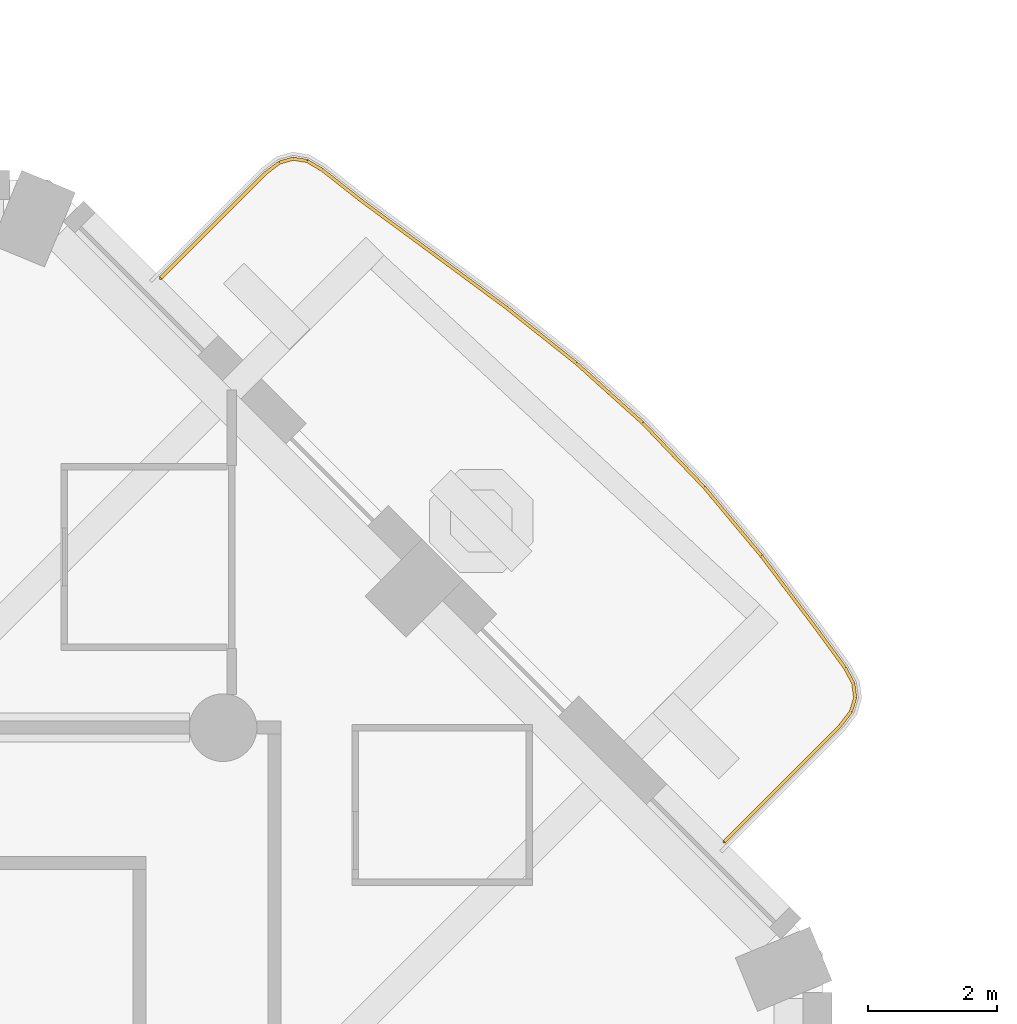
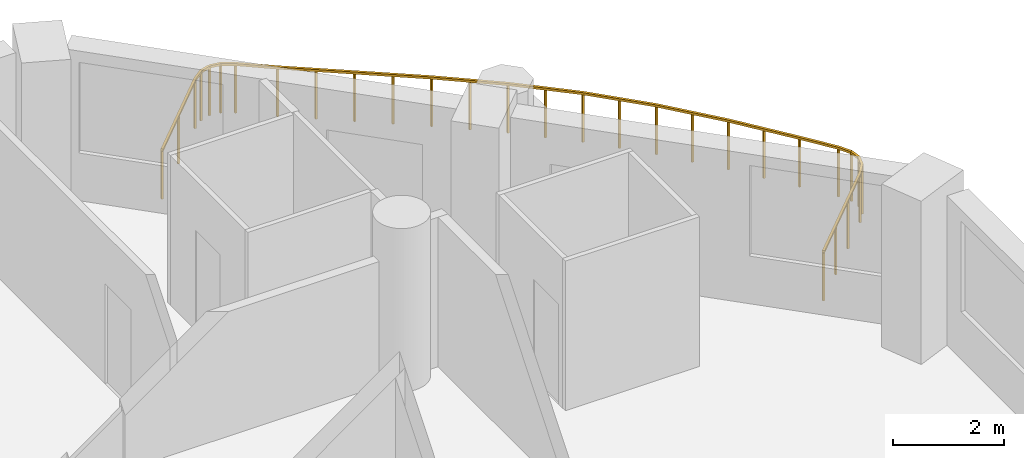
# One storey, part 19 of 20: 1 railing.
"""IFC4 building model written with IfcOpenShell, lengths in metres."""

from ifc_helpers import new_model, si_unit, direction, frame, origin, origin_2d, place, context, subcontext, project, spatial, rectangle, extrude, material, type_object, element, save


model = new_model("IFC4")

# Units and contexts
model_context = context("Model", 3, precision=1e-05, world=origin(), true_north=direction((0.0, 1.0)))
body_context = subcontext(model_context, "Body", "Model", "MODEL_VIEW")
ifc_project = project(units=[si_unit("LENGTHUNIT", "METRE"), si_unit("AREAUNIT", "SQUARE_METRE"), si_unit("VOLUMEUNIT", "CUBIC_METRE"), si_unit("PLANEANGLEUNIT", "RADIAN"), si_unit("MASSUNIT", "GRAM", prefix="KILO")], contexts=[model_context])

# Site, building, storey
site_placement = place(None, origin())
site = spatial("IfcSite", under=ifc_project, at=site_placement, CompositionType="ELEMENT")
building_placement = place(site_placement, origin())
building = spatial("IfcBuilding", under=site, at=building_placement, Name="Cypress Arch Tower", CompositionType="ELEMENT")
storey_placement = place(building_placement, frame((0.0, 0.0, 113.10009765625)))
storey = spatial("IfcBuildingStorey", under=building, at=storey_placement, Name="L23", CompositionType="ELEMENT", Elevation=113.10009765625)

# Railing
ifc_material = material(Name="Powder-coated steel posts and rods, 100 mm clear between rods", Category="steel")
railing_type = type_object("IfcRailingType", Name="Balcony guard GR1100", PredefinedType="GUARDRAIL", material=ifc_material)
railing_placement = place(storey_placement, frame((14.33251953125, 24.479736328125, 0.0)))
element("IfcRailing", 1, at=railing_placement, inside=storey, type_object=railing_type, Name="Balcony guard L23-A07", PredefinedType="GUARDRAIL", context=body_context, shape_type="SweptSolid", body=[
    extrude(rectangle(XDim=0.050048828125, YDim=0.050048828125, at=origin_2d()), frame((0.0, 0.0, 1.0751953125), z_axis=(0.707106781187, 0.707106781187, 0.0), x_axis=(-0.707106781187, 0.707106781187, 0.0)), (0.0, 0.0, 1.0), 2.302490234375),
    extrude(rectangle(XDim=0.050048828125, YDim=0.050048828125, at=origin_2d()), frame((1.628173828125, 1.628173828125, 1.0751953125), z_axis=(0.797818869883, 0.602897214173, 0.0), x_axis=(-0.602897214173, 0.797818869883, 0.0)), (0.0, 0.0, 1.0), 0.269287109375),
    extrude(rectangle(XDim=0.050048828125, YDim=0.050048828125, at=origin_2d()), frame((1.843017578125, 1.79052734375, 1.0751953125), z_axis=(0.961649558274, 0.274281109577, 0.0), x_axis=(-0.274281109577, 0.961649558274, 0.0)), (0.0, 0.0, 1.0), 0.219970703125),
    extrude(rectangle(XDim=0.050048828125, YDim=0.050048828125, at=origin_2d()), frame((2.054443359375, 1.850830078125, 1.0751953125), z_axis=(0.987162255599, -0.159720634614, 0.0), x_axis=(0.159720634614, 0.987162255599, 0.0)), (0.0, 0.0, 1.0), 0.22021484375),
    extrude(rectangle(XDim=0.050048828125, YDim=0.050048828125, at=origin_2d()), frame((2.271728515625, 1.815673828125, 1.0751953125), z_axis=(0.863284624147, -0.504717403813, 0.0), x_axis=(0.504717403813, 0.863284624147, 0.0)), (0.0, 0.0, 1.0), 0.26904296875),
    extrude(rectangle(XDim=0.050048828125, YDim=0.050048828125, at=origin_2d()), frame((2.50390625, 1.679931640625, 1.0751953125), z_axis=(0.785209472927, -0.619230234747, 0.0), x_axis=(0.619230234747, 0.785209472927, 0.0)), (0.0, 0.0, 1.0), 0.764892578125),
    extrude(rectangle(XDim=0.050048828125, YDim=0.050048828125, at=origin_2d()), frame((3.1044921875, 1.206298828125, 1.0751953125), z_axis=(0.805068965482, -0.593181220891, 0.0), x_axis=(0.593181220891, 0.805068965482, 0.0)), (0.0, 0.0, 1.0), 1.40234375),
    extrude(rectangle(XDim=0.050048828125, YDim=0.050048828125, at=origin_2d()), frame((4.2333984375, 0.37451171875, 1.0751953125), z_axis=(0.804455056944, -0.594013519507, 0.0), x_axis=(0.594013519507, 0.804455056944, 0.0)), (0.0, 0.0, 1.0), 1.400390625),
    extrude(rectangle(XDim=0.050048828125, YDim=0.050048828125, at=origin_2d()), frame((5.35986328125, -0.457275390625, 1.0751953125), z_axis=(0.783002825994, -0.622018146428, 0.0), x_axis=(0.622018146428, 0.783002825994, 0.0)), (0.0, 0.0, 1.0), 1.39208984375),
    extrude(rectangle(XDim=0.050048828125, YDim=0.050048828125, at=origin_2d()), frame((6.449951171875, -1.3232421875, 1.0751953125), z_axis=(0.743092395164, -0.669188831534, 0.0), x_axis=(0.669188831534, 0.743092395164, 0.0)), (0.0, 0.0, 1.0), 1.38427734375),
    extrude(rectangle(XDim=0.050048828125, YDim=0.050048828125, at=origin_2d()), frame((7.478515625, -2.24951171875, 1.0751953125), z_axis=(0.691663643877, -0.722219775234, 0.0), x_axis=(0.722219775234, 0.691663643877, 0.0)), (0.0, 0.0, 1.0), 1.38232421875),
    extrude(rectangle(XDim=0.050048828125, YDim=0.050048828125, at=origin_2d()), frame((8.4345703125, -3.247802734375, 1.0751953125), z_axis=(0.64030544225, -0.768120394616, 0.0), x_axis=(0.768120394616, 0.64030544225, 0.0)), (0.0, 0.0, 1.0), 1.388671875),
    extrude(rectangle(XDim=0.050048828125, YDim=0.050048828125, at=origin_2d()), frame((9.32373046875, -4.314453125, 1.0751953125), z_axis=(0.602847920708, -0.797856117667, 0.0), x_axis=(0.797856117667, 0.602847920708, 0.0)), (0.0, 0.0, 1.0), 1.397216796875),
    extrude(rectangle(XDim=0.050048828125, YDim=0.050048828125, at=origin_2d()), frame((10.166015625, -5.42919921875, 1.0751953125), z_axis=(0.590080392079, -0.807344493314, 0.0), x_axis=(0.807344493314, 0.590080392079, 0.0)), (0.0, 0.0, 1.0), 0.767578125),
    extrude(rectangle(XDim=0.050048828125, YDim=0.050048828125, at=origin_2d()), frame((10.618896484375, -6.048828125, 1.0751953125), z_axis=(0.474260202154, -0.880384723091, 0.0), x_axis=(0.880384723091, 0.474260202154, 0.0)), (0.0, 0.0, 1.0), 0.272216796875),
    extrude(rectangle(XDim=0.050048828125, YDim=0.050048828125, at=origin_2d()), frame((10.748046875, -6.28857421875, 1.0751953125), z_axis=(0.133371049798, -0.991066174923, 0.0), x_axis=(0.991066174923, 0.133371049798, 0.0)), (0.0, 0.0, 1.0), 0.22509765625),
    extrude(rectangle(XDim=0.050048828125, YDim=0.050048828125, at=origin_2d()), frame((10.778076171875, -6.51171875, 1.0751953125), z_axis=(-0.283866984408, -0.958863668705, 0.0), x_axis=(0.958863668705, -0.283866984408, 0.0)), (0.0, 0.0, 1.0), 0.225341796875),
    extrude(rectangle(XDim=0.050048828125, YDim=0.050048828125, at=origin_2d()), frame((10.714111328125, -6.727783203125, 1.0751953125), z_axis=(-0.604151031932, -0.796869832919, 0.0), x_axis=(0.796869832919, -0.604151031932, 0.0)), (0.0, 0.0, 1.0), 0.2724609375),
    extrude(rectangle(XDim=0.050048828125, YDim=0.050048828125, at=origin_2d()), frame((10.549560546875, -6.94482421875, 1.0751953125), z_axis=(-0.707058888825, -0.707154670305, 0.0), x_axis=(0.707154670305, -0.707058888825, 0.0)), (0.0, 0.0, 1.0), 2.548828125),
    extrude(rectangle(XDim=0.0400390625, YDim=0.0400390625, at=origin_2d()), origin(), (0.0, 0.0, 1.0), 1.050048828125),
    extrude(rectangle(XDim=0.0400390625, YDim=0.0400390625, at=origin_2d()), frame((0.81396484375, 0.81396484375, 0.0)), (0.0, 0.0, 1.0), 1.050048828125),
    extrude(rectangle(XDim=0.0400390625, YDim=0.0400390625, at=origin_2d()), frame((1.628173828125, 1.628173828125, 0.0)), (0.0, 0.0, 1.0), 1.050048828125),
    extrude(rectangle(XDim=0.0400390625, YDim=0.0400390625, at=origin_2d()), frame((1.843017578125, 1.79052734375, 0.0)), (0.0, 0.0, 1.0), 1.050048828125),
    extrude(rectangle(XDim=0.0400390625, YDim=0.0400390625, at=origin_2d()), frame((2.054443359375, 1.850830078125, 0.0)), (0.0, 0.0, 1.0), 1.050048828125),
    extrude(rectangle(XDim=0.0400390625, YDim=0.0400390625, at=origin_2d()), frame((2.271728515625, 1.815673828125, 0.0)), (0.0, 0.0, 1.0), 1.050048828125),
    extrude(rectangle(XDim=0.0400390625, YDim=0.0400390625, at=origin_2d()), frame((2.50390625, 1.679931640625, 0.0)), (0.0, 0.0, 1.0), 1.050048828125),
    extrude(rectangle(XDim=0.0400390625, YDim=0.0400390625, at=origin_2d()), frame((3.1044921875, 1.206298828125, 0.0)), (0.0, 0.0, 1.0), 1.050048828125),
    extrude(rectangle(XDim=0.0400390625, YDim=0.0400390625, at=origin_2d()), frame((3.6689453125, 0.79052734375, 0.0)), (0.0, 0.0, 1.0), 1.050048828125),
    extrude(rectangle(XDim=0.0400390625, YDim=0.0400390625, at=origin_2d()), frame((4.2333984375, 0.37451171875, 0.0)), (0.0, 0.0, 1.0), 1.050048828125),
    extrude(rectangle(XDim=0.0400390625, YDim=0.0400390625, at=origin_2d()), frame((4.796630859375, -0.04150390625, 0.0)), (0.0, 0.0, 1.0), 1.050048828125),
    extrude(rectangle(XDim=0.0400390625, YDim=0.0400390625, at=origin_2d()), frame((5.35986328125, -0.457275390625, 0.0)), (0.0, 0.0, 1.0), 1.050048828125),
    extrude(rectangle(XDim=0.0400390625, YDim=0.0400390625, at=origin_2d()), frame((5.90478515625, -0.89013671875, 0.0)), (0.0, 0.0, 1.0), 1.050048828125),
    extrude(rectangle(XDim=0.0400390625, YDim=0.0400390625, at=origin_2d()), frame((6.449951171875, -1.3232421875, 0.0)), (0.0, 0.0, 1.0), 1.050048828125),
    extrude(rectangle(XDim=0.0400390625, YDim=0.0400390625, at=origin_2d()), frame((6.96435546875, -1.786376953125, 0.0)), (0.0, 0.0, 1.0), 1.050048828125),
    extrude(rectangle(XDim=0.0400390625, YDim=0.0400390625, at=origin_2d()), frame((7.478515625, -2.24951171875, 0.0)), (0.0, 0.0, 1.0), 1.050048828125),
    extrude(rectangle(XDim=0.0400390625, YDim=0.0400390625, at=origin_2d()), frame((7.95654296875, -2.74853515625, 0.0)), (0.0, 0.0, 1.0), 1.050048828125),
    extrude(rectangle(XDim=0.0400390625, YDim=0.0400390625, at=origin_2d()), frame((8.4345703125, -3.247802734375, 0.0)), (0.0, 0.0, 1.0), 1.050048828125),
    extrude(rectangle(XDim=0.0400390625, YDim=0.0400390625, at=origin_2d()), frame((8.879150390625, -3.78125, 0.0)), (0.0, 0.0, 1.0), 1.050048828125),
    extrude(rectangle(XDim=0.0400390625, YDim=0.0400390625, at=origin_2d()), frame((9.32373046875, -4.314453125, 0.0)), (0.0, 0.0, 1.0), 1.050048828125),
    extrude(rectangle(XDim=0.0400390625, YDim=0.0400390625, at=origin_2d()), frame((9.744873046875, -4.871826171875, 0.0)), (0.0, 0.0, 1.0), 1.050048828125),
    extrude(rectangle(XDim=0.0400390625, YDim=0.0400390625, at=origin_2d()), frame((10.166015625, -5.42919921875, 0.0)), (0.0, 0.0, 1.0), 1.050048828125),
    extrude(rectangle(XDim=0.0400390625, YDim=0.0400390625, at=origin_2d()), frame((10.618896484375, -6.048828125, 0.0)), (0.0, 0.0, 1.0), 1.050048828125),
    extrude(rectangle(XDim=0.0400390625, YDim=0.0400390625, at=origin_2d()), frame((10.748046875, -6.28857421875, 0.0)), (0.0, 0.0, 1.0), 1.050048828125),
    extrude(rectangle(XDim=0.0400390625, YDim=0.0400390625, at=origin_2d()), frame((10.778076171875, -6.51171875, 0.0)), (0.0, 0.0, 1.0), 1.050048828125),
    extrude(rectangle(XDim=0.0400390625, YDim=0.0400390625, at=origin_2d()), frame((10.714111328125, -6.727783203125, 0.0)), (0.0, 0.0, 1.0), 1.050048828125),
    extrude(rectangle(XDim=0.0400390625, YDim=0.0400390625, at=origin_2d()), frame((10.549560546875, -6.94482421875, 0.0)), (0.0, 0.0, 1.0), 1.050048828125),
    extrude(rectangle(XDim=0.0400390625, YDim=0.0400390625, at=origin_2d()), frame((9.94873046875, -7.545654296875, 0.0)), (0.0, 0.0, 1.0), 1.050048828125),
    extrude(rectangle(XDim=0.0400390625, YDim=0.0400390625, at=origin_2d()), frame((9.34814453125, -8.146484375, 0.0)), (0.0, 0.0, 1.0), 1.050048828125),
    extrude(rectangle(XDim=0.0400390625, YDim=0.0400390625, at=origin_2d()), frame((8.747314453125, -8.747314453125, 0.0)), (0.0, 0.0, 1.0), 1.050048828125),
])

save(model, "model.ifc")
